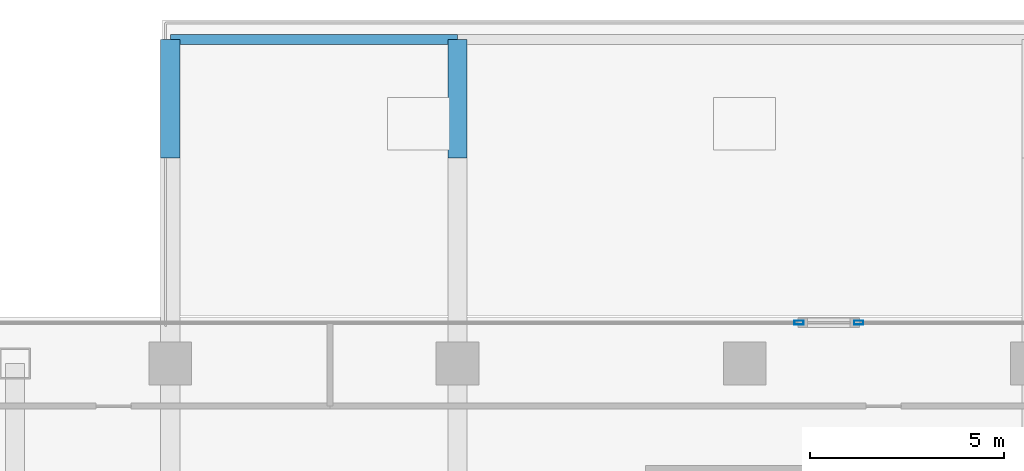
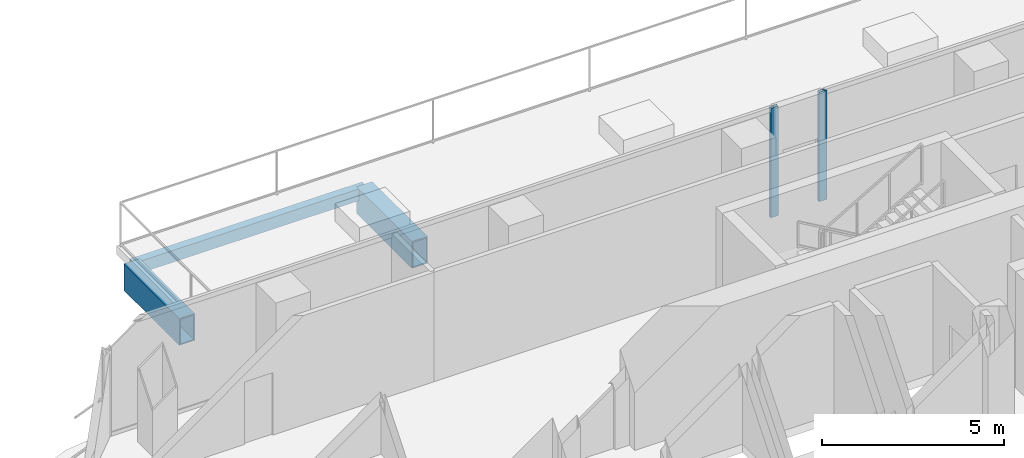
# One storey, part 13 of 24: 3 beams, 2 members, 2 elements without a shape of their own.
"""IFC4 building model written with IfcOpenShell, lengths in metres."""

from ifc_helpers import new_model, si_unit, direction, frame, origin, origin_2d, place, context, subcontext, project, spatial, hollow_rectangle, extrude, material, layer, layer_set, material_profile, profile_set, type_object, element, aggregate, save


model = new_model("IFC4")

# Units and contexts
model_context = context("Model", 3, precision=1e-05, world=origin(), true_north=direction((0.0, 1.0)))
body_context = subcontext(model_context, "Body", "Model", "MODEL_VIEW")
ifc_project = project(units=[si_unit("LENGTHUNIT", "METRE"), si_unit("AREAUNIT", "SQUARE_METRE"), si_unit("VOLUMEUNIT", "CUBIC_METRE"), si_unit("PLANEANGLEUNIT", "RADIAN"), si_unit("MASSUNIT", "GRAM", prefix="KILO")], contexts=[model_context])

# Site, building, storey
site_placement = place(None, origin())
site = spatial("IfcSite", under=ifc_project, at=site_placement, CompositionType="ELEMENT")
building_placement = place(site_placement, origin())
building = spatial("IfcBuilding", under=site, at=building_placement, Name="Khorvyn Point Tower", CompositionType="ELEMENT")
storey_placement = place(building_placement, frame((0.0, 0.0, 191.39990234375)))
storey = spatial("IfcBuildingStorey", under=building, at=storey_placement, Name="L47", CompositionType="ELEMENT", Elevation=191.39990234375)

# Curtain wall, member
ifc_material_1 = material(Name="Anodised aluminium 6063-T6 and laminated Low-E glass", Category="aluminium")
ifc_layer = layer(ifc_material_1, 0.18994140625)
ifc_layer_set = layer_set([ifc_layer], Name="Stick-Built Acoustic Curtain Wall CW-SYS-03")
curtain_wall_type = type_object("IfcCurtainWallType", Name="Stick-Built Acoustic Curtain Wall CW-SYS-03", PredefinedType="NOTDEFINED", material=ifc_layer_set)
curtain_wall_1_placement = place(storey_placement, origin())
curtain_wall_1 = element("IfcCurtainWall", 1, at=curtain_wall_1_placement, inside=storey, type_object=curtain_wall_type, Name="Curtain Wall", PredefinedType="NOTDEFINED")
ifc_material_2 = material(Name="Anodised aluminium 6063-T6", Category="aluminium")
ifc_material_profile_1 = material_profile(ifc_material_2, hollow_rectangle(XDim=0.10009765625, YDim=0.239990234375, WallThickness=0.0048828125, at=origin_2d()))
ifc_profile_set_1 = profile_set([ifc_material_profile_1], Name="Anodised aluminium 6063-T6 ALU-MUL-100x240")
member_type = type_object("IfcMemberType", Name="Anodised Aluminium 6063-T6 Mullion ALU-MUL-100x240", PredefinedType="MULLION", material=ifc_profile_set_1)
member_1_placement = place(storey_placement, frame((1.40087890625, 15.85009765625, 0.0), z_axis=(0.0, 0.0, 1.0), x_axis=(0.0, 1.0, 0.0)))
member_1 = element("IfcMember", 2, at=member_1_placement, type_object=member_type, Name="Transom", PredefinedType="MULLION", context=body_context, shape_type="SweptSolid", body=[
    extrude(hollow_rectangle(XDim=0.10009765625, YDim=0.239990234375, WallThickness=0.0048828125, at=origin_2d()), origin(), (0.0, 0.0, 1.0), 3.68017578125),
])
aggregate(curtain_wall_1, [member_1])

curtain_wall_2_placement = place(storey_placement, origin())
curtain_wall_2 = element("IfcCurtainWall", 3, at=curtain_wall_2_placement, inside=storey, type_object=curtain_wall_type, Name="Curtain Wall", PredefinedType="NOTDEFINED")
member_2_placement = place(storey_placement, frame((2.94091796875, 15.85009765625, 0.0), z_axis=(0.0, 0.0, 1.0), x_axis=(0.0, 1.0, 0.0)))
member_2 = element("IfcMember", 4, at=member_2_placement, type_object=member_type, Name="Transom", PredefinedType="MULLION", context=body_context, shape_type="SweptSolid", body=[
    extrude(hollow_rectangle(XDim=0.10009765625, YDim=0.239990234375, WallThickness=0.0048828125, at=origin_2d()), origin(), (0.0, 0.0, 1.0), 3.68017578125),
])
aggregate(curtain_wall_2, [member_2])

# Beams
ifc_material_3 = material(Name="Steel S355", Category="steel")
ifc_material_profile_2 = material_profile(ifc_material_3, hollow_rectangle(XDim=0.25, YDim=0.39990234375, WallThickness=0.01611328125, at=origin_2d()))
ifc_profile_set_2 = profile_set([ifc_material_profile_2], Name="Steel S355 RHS400x250x16")
beam_type_1 = type_object("IfcBeamType", Name="Steel S355 Spandrel RHS400x250x16", PredefinedType="SPANDREL", material=ifc_profile_set_2)
beam_placement = place(storey_placement, frame((-14.800048828125, 23.14990234375, -0.47998046875), z_axis=(1.0, 0.0, 0.0), x_axis=(0.0, 1.0, 0.0)))
element("IfcBeam", 5, at=beam_placement, inside=storey, type_object=beam_type_1, Name="Beam", PredefinedType="SPANDREL", context=body_context, shape_type="SweptSolid", body=[
    extrude(hollow_rectangle(XDim=0.25, YDim=0.39990234375, WallThickness=0.01611328125, at=origin_2d()), origin(), (0.0, 0.0, 1.0), 7.400146484375),
])
ifc_material_4 = material(Name="Steel S450", Category="steel")
ifc_material_profile_3 = material_profile(ifc_material_4, hollow_rectangle(XDim=0.5, YDim=0.89990234375, WallThickness=0.0400390625, at=origin_2d()))
ifc_profile_set_3 = profile_set([ifc_material_profile_3], Name="Steel S450 BOX900x500x40")
beam_type_2 = type_object("IfcBeamType", Name="Steel S450 Beam BOX900x500x40", PredefinedType="BEAM", material=ifc_profile_set_3)
for number, where, z_axis, x_axis, name in (
    (6, (-14.800048828125, 20.10009765625, -0.72998046875), (0.0, 1.0, 0.0), (-1.0, 0.0, 0.0), "L47 Radial Transfer Girder"),
    (7, (-7.39990234375, 20.10009765625, -0.72998046875), (0.0, 1.0, 0.0), (-1.0, 0.0, 0.0), "Beam"),
):
    element("IfcBeam", number, at=place(storey_placement, frame(where, z_axis=z_axis, x_axis=x_axis)), inside=storey, type_object=beam_type_2, Name=name, PredefinedType="BEAM", context=body_context, shape_type="SweptSolid", body=[
        extrude(hollow_rectangle(XDim=0.5, YDim=0.89990234375, WallThickness=0.0400390625, at=origin_2d()), origin(), (0.0, 0.0, 1.0), 3.0498046875),
    ])

save(model, "model.ifc")
